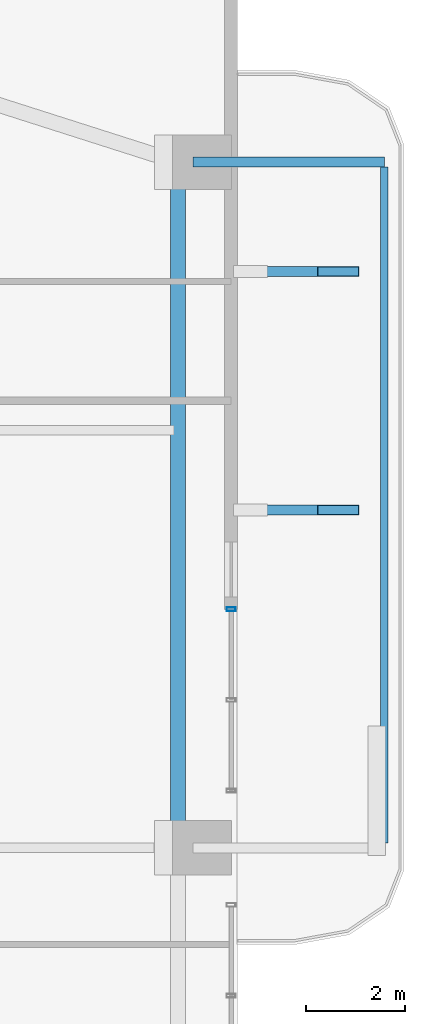
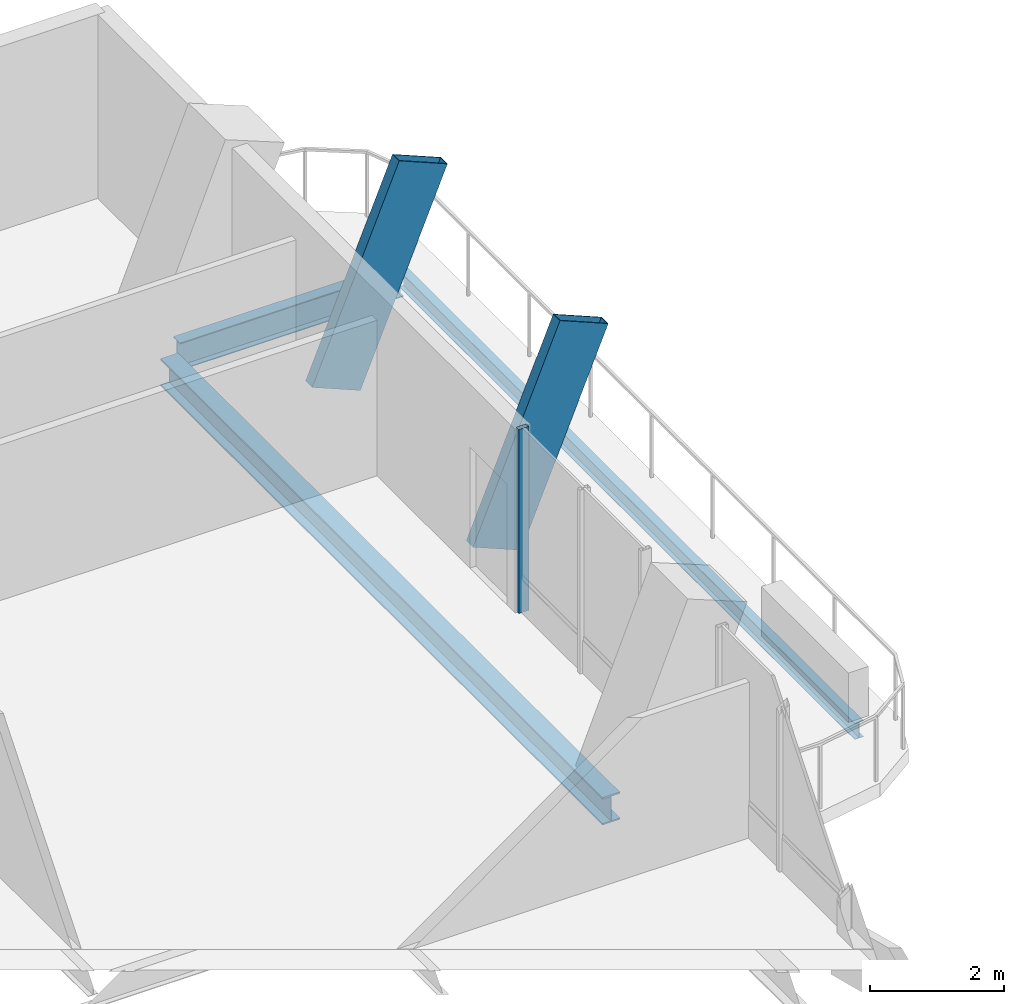
# One storey, part 15 of 24: 3 beams, 3 members, 1 element without a shape of its own.
"""IFC4 building model written with IfcOpenShell, lengths in metres."""

import ifcopenshell
import ifcopenshell.guid

model = None  # the IFC model being written
_history = None  # IfcOwnerHistory: only IFC2X3 demands one
_inside = {}  # id of a spatial element -> (the spatial element, [elements in it])
_under = {}  # id of a project, library or spatial element -> (it, [spatial elements below it])
_declared = {}  # id of a project -> (the project, [libraries it declares])
_typed = {}  # id of a type object -> (the type object, [elements of that type])
_made_of = {}  # id of a material, layer set ... -> (it, [elements and type objects made of it])


def new_model(schema):
    """Start an empty IFC model of exactly this schema.

    Asked for "IFC4X3", IfcOpenShell would pick the latest addendum, in which some entities
    have other attributes; the version numbers below select the first issue.
    IFC2X3 requires an IfcOwnerHistory on every rooted entity: one is made here for all.
    """
    global model, _history
    if schema == "IFC4X3":
        model = ifcopenshell.file(schema_version=(4, 3, 0, 0))
    else:
        model = ifcopenshell.file(schema=schema)
    _inside.clear()
    _under.clear()
    _declared.clear()
    _typed.clear()
    _made_of.clear()
    _history = None
    if model.schema == "IFC2X3":
        org = make("IfcOrganization", Name="unknown")
        user = make(
            "IfcPersonAndOrganization",
            ThePerson=make("IfcPerson", FamilyName="unknown"),
            TheOrganization=org,
        )
        app = make(
            "IfcApplication",
            ApplicationDeveloper=org,
            Version="unknown",
            ApplicationFullName="unknown",
            ApplicationIdentifier="unknown",
        )
        _history = make(
            "IfcOwnerHistory",
            OwningUser=user,
            OwningApplication=app,
            ChangeAction="ADDED",
            CreationDate=0,
        )
    return model


def make(cls, **values):
    """One entity of the class cls with the attributes given. An attribute that is None is left unset."""
    return model.create_entity(
        cls, **{name: value for name, value in values.items() if value is not None}
    )


def rooted(cls, **values):
    """An entity with a GlobalId (a new one), such as an element, a storey or a relation."""
    return make(cls, GlobalId=ifcopenshell.guid.new(), OwnerHistory=_history, **values)


def si_unit(unit_type, name, prefix=None):
    """IfcSIUnit, for example si_unit("LENGTHUNIT", "METRE", prefix="MILLI")."""
    return make("IfcSIUnit", UnitType=unit_type, Prefix=prefix, Name=name)


def assignment(units):
    """IfcUnitAssignment: the units of a project."""
    return None if units is None else make("IfcUnitAssignment", Units=units)


def point(xyz):
    """IfcCartesianPoint."""
    return None if xyz is None else make("IfcCartesianPoint", Coordinates=xyz)


def direction(xyz):
    """IfcDirection."""
    return None if xyz is None else make("IfcDirection", DirectionRatios=xyz)


def frame(location, z_axis=None, x_axis=None):
    """IfcAxis2Placement3D, a coordinate frame: its origin and axes. An axis left out is left unset."""
    return make(
        "IfcAxis2Placement3D",
        Location=point(location),
        Axis=direction(z_axis),
        RefDirection=direction(x_axis),
    )


def frame_2d(location, x_axis=None):
    """IfcAxis2Placement2D, a coordinate frame in the plane: its origin and x axis."""
    return make(
        "IfcAxis2Placement2D", Location=point(location), RefDirection=direction(x_axis)
    )


def origin():
    """The frame at (0, 0, 0) with its axes left unset."""
    return frame((0.0, 0.0, 0.0))


def origin_2d():
    """The frame at (0, 0) in the plane with its x axis left unset."""
    return frame_2d((0.0, 0.0))


def place(relative_to, where):
    """IfcLocalPlacement: puts the frame where relative to a parent placement (None: the world)."""
    return make(
        "IfcLocalPlacement", PlacementRelTo=relative_to, RelativePlacement=where
    )


def context(
    kind, dimensions, precision=None, world=None, true_north=None, identifier=None
):
    """IfcGeometricRepresentationContext, for example the 3D "Model" context."""
    return make(
        "IfcGeometricRepresentationContext",
        ContextIdentifier=identifier,
        ContextType=kind,
        CoordinateSpaceDimension=dimensions,
        Precision=precision,
        WorldCoordinateSystem=world,
        TrueNorth=true_north,
    )


def subcontext(parent, identifier, kind, view, scale=None):
    """IfcGeometricRepresentationSubContext, for example "Body" below "Model"."""
    return make(
        "IfcGeometricRepresentationSubContext",
        ContextIdentifier=identifier,
        ContextType=kind,
        ParentContext=parent,
        TargetScale=scale,
        TargetView=view,
    )


def project(units=None, contexts=None):
    """IfcProject with its units and contexts."""
    return rooted(
        "IfcProject",
        Name="project",
        RepresentationContexts=contexts,
        UnitsInContext=assignment(units),
    )


def spatial(cls, under=None, at=None, **own):
    """A site, building, storey or space (cls), placed at a placement, below another one or the project."""
    s = rooted(cls, ObjectPlacement=at, **own)
    if under is not None:
        _under.setdefault(under.id(), (under, []))[1].append(s)
    return s


def profile(cls, at=None, kind="AREA", **sizes):
    """A parametric profile (cls). Its sizes go by their IFC names, for example OverallWidth=200.0."""
    return make(cls, ProfileType=kind, Position=at, **sizes)


def hollow_rectangle(**sizes):
    """IfcRectangleHollowProfileDef."""
    return profile("IfcRectangleHollowProfileDef", **sizes)


def i_section(**sizes):
    """IfcIShapeProfileDef."""
    return profile("IfcIShapeProfileDef", **sizes)


def extrude(swept, where, along, depth):
    """IfcExtrudedAreaSolid: the profile swept, set in the frame where, extruded along a direction by depth."""
    return make(
        "IfcExtrudedAreaSolid",
        SweptArea=swept,
        Position=where,
        ExtrudedDirection=direction(along),
        Depth=depth,
    )


def shape(context_of_items, identifier, shape_type, items):
    """IfcShapeRepresentation: the items that make up one representation, for example the "Body"."""
    return make(
        "IfcShapeRepresentation",
        ContextOfItems=context_of_items,
        RepresentationIdentifier=identifier,
        RepresentationType=shape_type,
        Items=items,
    )


def material(Name=None, Category=None):
    """IfcMaterial."""
    return make("IfcMaterial", Name=Name, Category=Category)


def layer(
    of_material, thickness, ventilated=None, Name=None, Category=None, Priority=None
):
    """IfcMaterialLayer: one layer of a wall or slab, of a material (None: an air gap)."""
    return make(
        "IfcMaterialLayer",
        Material=of_material,
        LayerThickness=thickness,
        IsVentilated=ventilated,
        Name=Name,
        Category=Category,
        Priority=Priority,
    )


def layer_set(layers, Name=None):
    """IfcMaterialLayerSet."""
    return make("IfcMaterialLayerSet", MaterialLayers=layers, LayerSetName=Name)


def material_profile(
    of_material, cross_section, Name=None, Category=None, Priority=None
):
    """IfcMaterialProfile: a cross section and its material."""
    return make(
        "IfcMaterialProfile",
        Name=Name,
        Material=of_material,
        Profile=cross_section,
        Priority=Priority,
        Category=Category,
    )


def profile_set(profiles, Name=None, composite=None):
    """IfcMaterialProfileSet."""
    return make(
        "IfcMaterialProfileSet",
        Name=Name,
        MaterialProfiles=profiles,
        CompositeProfile=composite,
    )


def made_of(thing, what):
    """Note that an element or type object is made of a material, layer set ...; save() writes the relation."""
    if what is not None:
        _made_of.setdefault(what.id(), (what, []))[1].append(thing)
    return thing


def type_object(cls, material=None, **own):
    """A type object (cls), such as IfcWallType, which elements share."""
    return made_of(rooted(cls, **own), material)


def element(
    cls,
    number,
    at=None,
    inside=None,
    cuts=None,
    type_object=None,
    material=None,
    context=None,
    identifier="Body",
    shape_type=None,
    held_by="IfcProductDefinitionShape",
    body=None,
    shapes=None,
    **own,
):
    """One element of the class cls, such as IfcWall. Its Tag is "e" and its number.

    at: its placement. inside: the storey or other place that contains it. cuts: it is an
    opening in that element (IfcRelVoidsElement). A single representation is given by context,
    identifier, shape_type and body (its items); several are given by shapes. held_by: the class
    of the entity that holds the representations. save() writes the other relations.
    """
    e = rooted(cls, Tag="e%d" % number, ObjectPlacement=at, **own)
    if body is not None:
        shapes = [shape(context, identifier, shape_type, body)]
    if shapes is not None:
        e.Representation = make(held_by, Representations=shapes)
    if inside is not None:
        _inside.setdefault(inside.id(), (inside, []))[1].append(e)
    if cuts is not None:
        rooted(
            "IfcRelVoidsElement", RelatingBuildingElement=cuts, RelatedOpeningElement=e
        )
    if type_object is not None:
        _typed.setdefault(type_object.id(), (type_object, []))[1].append(e)
    return made_of(e, material)


def aggregate(whole, parts):
    """IfcRelAggregates: a whole, such as a stair, and the parts it consists of."""
    return rooted("IfcRelAggregates", RelatingObject=whole, RelatedObjects=parts)


def save(model, path):
    """Write the relations noted so far, then the file.

    IfcRelAggregates (storeys below a building ...), IfcRelContainedInSpatialStructure (elements
    in a storey), IfcRelDefinesByType, IfcRelAssociatesMaterial and IfcRelDeclares: one each for
    every whole, place, type object, material and project.
    """
    for whole, parts in _under.values():
        aggregate(whole, parts)
    for where, things in _inside.values():
        rooted(
            "IfcRelContainedInSpatialStructure",
            RelatedElements=things,
            RelatingStructure=where,
        )
    for kind, things in _typed.values():
        rooted("IfcRelDefinesByType", RelatedObjects=things, RelatingType=kind)
    for what, things in _made_of.values():
        rooted("IfcRelAssociatesMaterial", RelatedObjects=things, RelatingMaterial=what)
    for by, libraries in _declared.values():
        rooted("IfcRelDeclares", RelatingContext=by, RelatedDefinitions=libraries)
    model.write(path)


model = new_model("IFC4")

# Units and contexts
model_context = context("Model", 3, precision=1e-05, world=origin(), true_north=direction((0.0, 1.0)))
body_context = subcontext(model_context, "Body", "Model", "MODEL_VIEW")
ifc_project = project(units=[si_unit("LENGTHUNIT", "METRE"), si_unit("AREAUNIT", "SQUARE_METRE"), si_unit("VOLUMEUNIT", "CUBIC_METRE"), si_unit("PLANEANGLEUNIT", "RADIAN"), si_unit("MASSUNIT", "GRAM", prefix="KILO")], contexts=[model_context])

# Site, building, storey
site_placement = place(None, origin())
site = spatial("IfcSite", under=ifc_project, at=site_placement, CompositionType="ELEMENT")
building_placement = place(site_placement, origin())
building = spatial("IfcBuilding", under=site, at=building_placement, Name="Belovzor Exchange Tower", CompositionType="ELEMENT")
storey_placement = place(building_placement, frame((0.0, 0.0, 190.800048828125)))
storey = spatial("IfcBuildingStorey", under=building, at=storey_placement, Name="L47", CompositionType="ELEMENT", Elevation=190.800048828125)

# Beams
ifc_material_1 = material(Name="Steel S355", Category="steel")
ifc_material_profile_1 = material_profile(ifc_material_1, i_section(OverallWidth=0.199951171875, OverallDepth=0.5, WebThickness=0.01025390625, FlangeThickness=0.01611328125, at=origin_2d()))
ifc_profile_set_1 = profile_set([ifc_material_profile_1], Name="Steel S355")
beam_type_1 = type_object("IfcBeamType", Name="Planted Balcony Cantilever Beam IPE 500", PredefinedType="BEAM", material=ifc_profile_set_1)
beam_1_placement = place(storey_placement, frame((52.202880859375, 42.60009765625, -0.505126953125), z_axis=(1.0, 0.0, 0.0), x_axis=(0.0, 1.0, 0.0)))
element("IfcBeam", 1, at=beam_1_placement, inside=storey, type_object=beam_type_1, Name="BC-500 Planted Balcony Cantilever Beam IPE 500", PredefinedType="BEAM", context=body_context, shape_type="SweptSolid", body=[
    extrude(i_section(OverallWidth=0.199951171875, OverallDepth=0.5, WebThickness=0.01025390625, FlangeThickness=0.01611328125, at=origin_2d()), origin(), (0.0, 0.0, 1.0), 3.85009765625),
])
ifc_material_2 = material(Name="Steel S355", Category="steel")
ifc_material_profile_2 = material_profile(ifc_material_2, i_section(OverallWidth=0.14990234375, OverallDepth=0.300048828125, WebThickness=0.007080078125, FlangeThickness=0.0107421875, at=origin_2d()))
ifc_profile_set_2 = profile_set([ifc_material_profile_2], Name="Steel S355")
beam_type_2 = type_object("IfcBeamType", Name="Planted Balcony Fascia Edge Beam IPE 300", PredefinedType="BEAM", material=ifc_profile_set_2)
beam_2_placement = place(storey_placement, frame((56.052978515625, 28.89990234375, -0.405029296875), z_axis=(0.0, 1.0, 0.0), x_axis=(-1.0, 0.0, 0.0)))
element("IfcBeam", 2, at=beam_2_placement, inside=storey, type_object=beam_type_2, Name="BC-300 Planted Balcony Fascia Edge Beam IPE 300", PredefinedType="BEAM", context=body_context, shape_type="SweptSolid", body=[
    extrude(i_section(OverallWidth=0.14990234375, OverallDepth=0.300048828125, WebThickness=0.007080078125, FlangeThickness=0.0107421875, at=origin_2d()), origin(), (0.0, 0.0, 1.0), 13.60009765625),
])

# Members
ifc_material_3 = material(Name="Extruded Architectural Terracotta on Steel S355 Carrier", Category="masonry")
ifc_material_profile_3 = material_profile(ifc_material_3, hollow_rectangle(XDim=0.199951171875, YDim=0.89990234375, WallThickness=0.011962890625, at=origin_2d()))
ifc_profile_set_3 = profile_set([ifc_material_profile_3], Name="Extruded Architectural Terracotta on Steel S355 Carrier")
member_type_1 = type_object("IfcMemberType", Name="Sweeping Terracotta Baguette Fin Assembly 1250", PredefinedType="USERDEFINED", material=ifc_profile_set_3)
for number, where, z_axis, x_axis, name in (
    (3, (53.625, 35.60009765625, -0.255126953125), (0.384162484071, 0.0, 0.923265501268), (0.0, 1.0, 0.0), "FIN-TC125 Terracotta Facade Fin L47 E3"),
    (4, (53.625, 40.39990234375, -0.255126953125), (0.384162484071, 0.0, 0.923265501268), (0.0, 1.0, 0.0), "FIN-TC125 Terracotta Facade Fin L47 E4"),
):
    element("IfcMember", number, at=place(storey_placement, frame(where, z_axis=z_axis, x_axis=x_axis)), inside=storey, type_object=member_type_1, Name=name, ObjectType="FIN", PredefinedType="USERDEFINED", context=body_context, shape_type="SweptSolid", body=[
        extrude(hollow_rectangle(XDim=0.199951171875, YDim=0.89990234375, WallThickness=0.011962890625, at=origin_2d()), origin(), (0.0, 0.0, 1.0), 3.904541015625),
    ])

# Curtain wall, member
ifc_material_4 = material(Name="Anodised Aluminium Framing", Category="aluminium")
ifc_layer = layer(ifc_material_4, 0.179931640625)
ifc_layer_set = layer_set([ifc_layer], Name="Anodised Aluminium Framing")
curtain_wall_type = type_object("IfcCurtainWallType", Name="Recessed Loggia Low-Iron Triple-Glazed Curtain Wall", PredefinedType="NOTDEFINED", material=ifc_layer_set)
curtain_wall_placement = place(storey_placement, origin())
curtain_wall = element("IfcCurtainWall", 5, at=curtain_wall_placement, inside=storey, type_object=curtain_wall_type, Name="CW3 Recessed Loggia Low-Iron Triple-Glazed Curtain Wall L47", PredefinedType="NOTDEFINED")
ifc_material_5 = material(Name="Steel S355", Category="steel")
ifc_material_profile_4 = material_profile(ifc_material_5, hollow_rectangle(XDim=0.074951171875, YDim=0.179931640625, WallThickness=0.0048828125, at=origin_2d()))
ifc_profile_set_4 = profile_set([ifc_material_profile_4], Name="Steel S355")
member_type_2 = type_object("IfcMemberType", Name="Thermally Broken Curtain Wall Mullion 180x75", PredefinedType="MULLION", material=ifc_profile_set_4)
member_placement = place(storey_placement, frame((52.969970703125, 33.60009765625, 0.0), z_axis=(0.0, 0.0, 1.0), x_axis=(0.0, -1.0, 0.0)))
member = element("IfcMember", 6, at=member_placement, type_object=member_type_2, Name="CW-M180 Curtain Wall Mullion 1", PredefinedType="MULLION", context=body_context, shape_type="SweptSolid", body=[
    extrude(hollow_rectangle(XDim=0.074951171875, YDim=0.179931640625, WallThickness=0.0048828125, at=origin_2d()), origin(), (0.0, 0.0, 1.0), 3.349853515625),
])
aggregate(curtain_wall, [member])

# Beam
ifc_material_6 = material(Name="Steel S355", Category="steel")
ifc_material_profile_5 = material_profile(ifc_material_6, i_section(OverallWidth=0.300048828125, OverallDepth=0.5, WebThickness=0.014404296875, FlangeThickness=0.028076171875, at=origin_2d()))
ifc_profile_set_5 = profile_set([ifc_material_profile_5], Name="Steel S355")
beam_type_3 = type_object("IfcBeamType", Name="Zone 3 Waist Primary Girder HEB 500", PredefinedType="BEAM", material=ifc_profile_set_5)
beam_3_placement = place(storey_placement, frame((51.89990234375, 29.10205078125, -0.505126953125), z_axis=(0.0, 1.0, 0.0), x_axis=(-1.0, 0.0, 0.0)))
element("IfcBeam", 7, at=beam_3_placement, inside=storey, type_object=beam_type_3, Name="FG-Z3 Zone 3 Waist Primary Girder HEB 500", PredefinedType="BEAM", context=body_context, shape_type="SweptSolid", body=[
    extrude(i_section(OverallWidth=0.300048828125, OverallDepth=0.5, WebThickness=0.014404296875, FlangeThickness=0.028076171875, at=origin_2d()), origin(), (0.0, 0.0, 1.0), 13.195068359375),
])

save(model, "model.ifc")
